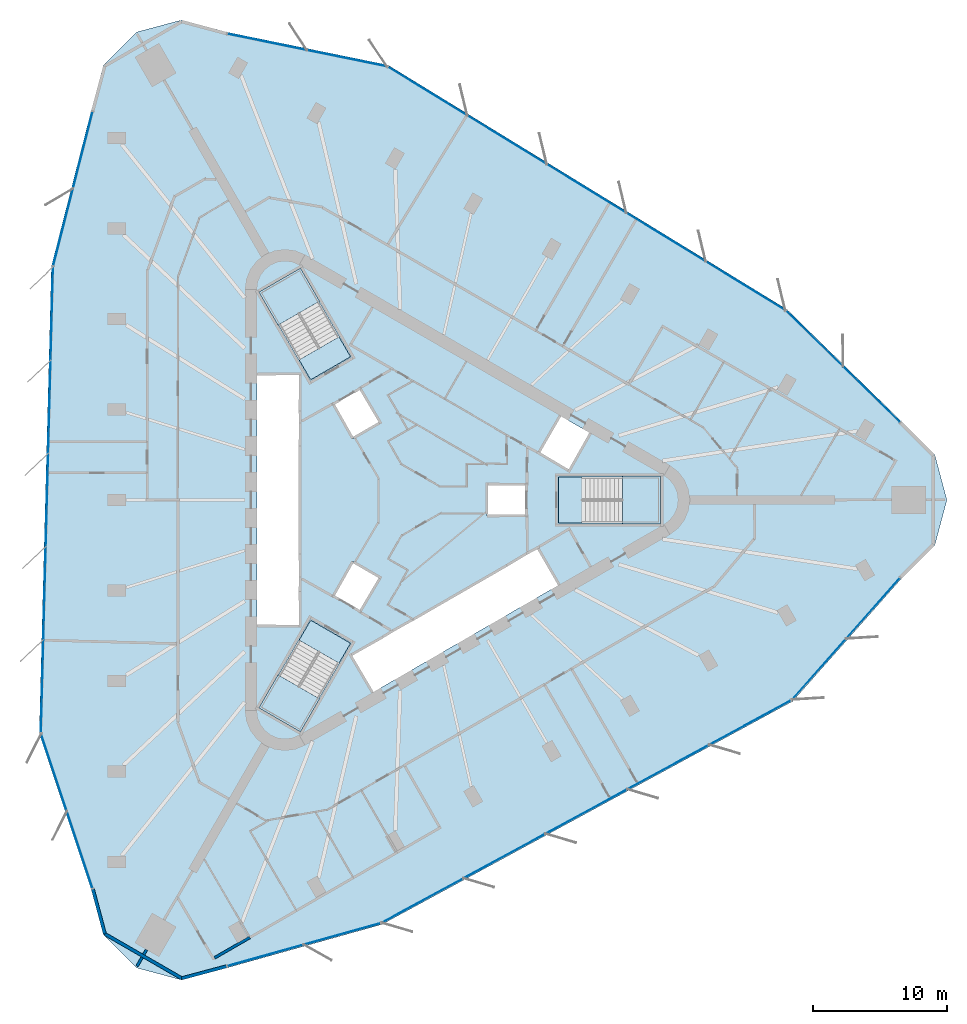
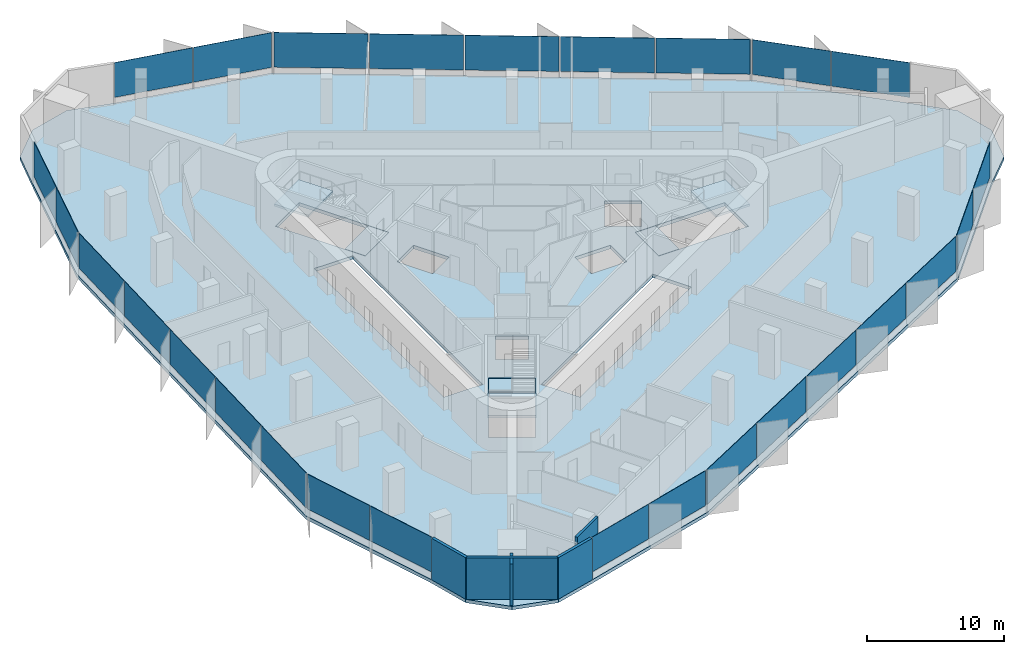
# One storey, part 7 of 14: 27 plates, 7 slabs, 6 walls, 12 elements without a shape of their own.
"""IFC4 building model written with IfcOpenShell, lengths in metres."""

from ifc_helpers import new_model, si_unit, direction, frame, frame_2d, origin, origin_2d, place, context, subcontext, project, spatial, polyline, rectangle, outline, extrude, material, layer, layer_set, type_object, element, aggregate, save


model = new_model("IFC4")

# Units and contexts
model_context = context("Model", 3, precision=1e-05, world=origin(), true_north=direction((0.0, 1.0)))
body_context = subcontext(model_context, "Body", "Model", "MODEL_VIEW")
ifc_project = project(units=[si_unit("LENGTHUNIT", "METRE"), si_unit("AREAUNIT", "SQUARE_METRE"), si_unit("VOLUMEUNIT", "CUBIC_METRE"), si_unit("PLANEANGLEUNIT", "RADIAN"), si_unit("MASSUNIT", "GRAM", prefix="KILO")], contexts=[model_context])

# Site, building, storey
site_placement = place(None, origin())
site = spatial("IfcSite", under=ifc_project, at=site_placement, CompositionType="ELEMENT")
building_placement = place(site_placement, origin())
building = spatial("IfcBuilding", under=site, at=building_placement, Name="Tanit Gate Tower", CompositionType="ELEMENT")
storey_placement = place(building_placement, frame((0.0, 0.0, 245.199951171875)))
storey = spatial("IfcBuildingStorey", under=building, at=storey_placement, Name="L55", CompositionType="ELEMENT", Elevation=245.199951171875)

# Slab
ifc_material_1 = material(Name="Concrete C35/45", Category="concrete")
ifc_layer_1 = layer(ifc_material_1, 0.300048828125)
ifc_layer_set_1 = layer_set([ifc_layer_1], Name="FLOOR SLAB 300 C35/45")
slab_type_1 = type_object("IfcSlabType", Name="FLOOR SLAB 300 C35/45", PredefinedType="FLOOR", material=ifc_layer_set_1)
slab_1_placement = place(storey_placement, frame((0.0, 0.0, -0.300048828125)))
element("IfcSlab", 1, at=slab_1_placement, inside=storey, type_object=slab_type_1, Name="FLOOR SLAB L55", PredefinedType="FLOOR", context=body_context, shape_type="SweptSolid", body=[
    extrude(outline(polyline([(37.03662109375, 5.860107421875), (39.51318359375, 3.38330078125), (40.419921875, 0.0), (39.51318359375, -3.38330078125), (37.03662109375, -5.860107421875), (28.885986328125, -15.05859375), (-1.855224609375, -31.760009765625), (-13.443115234375, -35.004638671875), (-16.826416015625, -35.9111328125), (-20.2099609375, -35.004638671875), (-22.686767578125, -32.52783203125), (-23.59326171875, -29.144287109375), (-27.484375, -17.48681640625), (-26.577392578125, 17.48681640625), (-23.59326171875, 29.144287109375), (-22.686767578125, 32.52783203125), (-20.2099609375, 35.004638671875), (-16.826416015625, 35.9111328125), (-13.443115234375, 35.004638671875), (-1.40185546875, 32.54541015625), (28.4326171875, 14.273193359375), (37.03662109375, 5.860107421875)]), holes=[polyline([(11.3701171875, 1.72998046875), (18.929931640625, 1.72998046875), (18.929931640625, -1.72998046875), (11.3701171875, -1.72998046875), (11.3701171875, 1.72998046875)]), polyline([(9.82080078125, 3.510009765625), (11.44580078125, 6.324462890625), (13.783935546875, 4.974609375), (12.158935546875, 2.159912109375), (9.82080078125, 3.510009765625)]), polyline([(-4.208984375, -11.60986328125), (9.82080078125, -3.510009765625), (11.44580078125, -6.324462890625), (-2.583984375, -14.424560546875), (-4.208984375, -11.60986328125)]), polyline([(6.0, 1.199951171875), (9.0, 1.199951171875), (9.0, -1.199951171875), (6.0, -1.199951171875), (6.0, 1.199951171875)]), polyline([(-5.539306640625, 7.194091796875), (-3.460693359375, 8.394287109375), (-1.960693359375, 5.796142578125), (-4.039306640625, 4.59619140625), (-5.539306640625, 7.194091796875)]), polyline([(-1.960693359375, -5.796142578125), (-3.460693359375, -8.394287109375), (-5.539306640625, -7.194091796875), (-4.039306640625, -4.59619140625), (-1.960693359375, -5.796142578125)]), polyline([(-10.963134765625, 15.52880859375), (-7.966796875, 17.2587890625), (-4.186767578125, 10.711669921875), (-7.18310546875, 8.981689453125), (-10.963134765625, 15.52880859375)]), polyline([(-4.186767578125, -10.711669921875), (-7.966796875, -17.2587890625), (-10.963134765625, -15.52880859375), (-7.18310546875, -8.981689453125), (-4.186767578125, -10.711669921875)]), polyline([(-11.199951171875, -9.449951171875), (-11.199951171875, 9.449951171875), (-7.949951171875, 9.449951171875), (-7.949951171875, -9.449951171875), (-11.199951171875, -9.449951171875)])]), origin(), (0.0, 0.0, 1.0), 0.300048828125),
])

# Curtain wall, plates
ifc_material_2 = material(Name="Aluminium bronze anodised and glass", Category="aluminium")
curtain_wall_type = type_object("IfcCurtainWallType", Name="Curtain wall typical mid", PredefinedType="NOTDEFINED", material=ifc_material_2)
curtain_wall_1_placement = place(storey_placement, origin())
curtain_wall_1 = element("IfcCurtainWall", 2, at=curtain_wall_1_placement, inside=storey, type_object=curtain_wall_type, Name="Curtain wall L55 NE1", PredefinedType="NOTDEFINED")
ifc_material_3 = material(Name="Glass tinted", Category="glass")
ifc_layer_2 = layer(ifc_material_3, 0.030029296875)
ifc_layer_set_2 = layer_set([ifc_layer_2], Name="Glass panel 30 typical mid")
plate_type = type_object("IfcPlateType", Name="Glass panel 30 typical mid", PredefinedType="CURTAIN_PANEL", material=ifc_layer_set_2)
plate_1_placement = place(storey_placement, frame((34.789306640625, 7.8896484375, 0.60009765625), z_axis=(0.0, 0.0, 1.0), x_axis=(-0.714989662126, 0.699135024907, 0.0)))
plate_1 = element("IfcPlate", 3, at=plate_1_placement, type_object=plate_type, Name="Glass panel L55 NE1.1", PredefinedType="CURTAIN_PANEL", context=body_context, shape_type="SweptSolid", body=[
    extrude(rectangle(XDim=5.8896484375, YDim=0.030029296875, at=origin_2d()), origin(), (0.0, 0.0, 1.0), 3.10009765625),
])
plate_2_placement = place(storey_placement, frame((30.52099609375, 12.063232421875, 0.60009765625), z_axis=(0.0, 0.0, 1.0), x_axis=(-0.714989662126, 0.699135024907, 0.0)))
plate_2 = element("IfcPlate", 4, at=plate_2_placement, type_object=plate_type, Name="Glass panel L55 NE1.2", PredefinedType="CURTAIN_PANEL", context=body_context, shape_type="SweptSolid", body=[
    extrude(rectangle(XDim=5.8896484375, YDim=0.030029296875, at=origin_2d()), origin(), (0.0, 0.0, 1.0), 3.10009765625),
])
aggregate(curtain_wall_1, [plate_1, plate_2])

curtain_wall_2_placement = place(storey_placement, origin())
curtain_wall_2 = element("IfcCurtainWall", 5, at=curtain_wall_2_placement, inside=storey, type_object=curtain_wall_type, Name="Curtain wall L55 NE2", PredefinedType="NOTDEFINED")
plate_3_placement = place(storey_placement, frame((25.3505859375, 16.020263671875, 0.60009765625), z_axis=(0.0, 0.0, 1.0), x_axis=(-0.852772356127, 0.522282786071, 0.0)))
plate_3 = element("IfcPlate", 6, at=plate_3_placement, type_object=plate_type, Name="Glass panel L55 NE2.1", PredefinedType="CURTAIN_PANEL", context=body_context, shape_type="SweptSolid", body=[
    extrude(rectangle(XDim=6.89404296875, YDim=0.030029296875, at=origin_2d()), origin(), (0.0, 0.0, 1.0), 3.10009765625),
])
plate_4_placement = place(storey_placement, frame((19.4033203125, 19.66259765625, 0.60009765625), z_axis=(0.0, 0.0, 1.0), x_axis=(-0.852772356127, 0.522282786071, 0.0)))
plate_4 = element("IfcPlate", 7, at=plate_4_placement, type_object=plate_type, Name="Glass panel L55 NE2.2", PredefinedType="CURTAIN_PANEL", context=body_context, shape_type="SweptSolid", body=[
    extrude(rectangle(XDim=6.89404296875, YDim=0.030029296875, at=origin_2d()), origin(), (0.0, 0.0, 1.0), 3.10009765625),
])
plate_5_placement = place(storey_placement, frame((13.455810546875, 23.304931640625, 0.60009765625), z_axis=(0.0, 0.0, 1.0), x_axis=(-0.852772356127, 0.522282786071, 0.0)))
plate_5 = element("IfcPlate", 8, at=plate_5_placement, type_object=plate_type, Name="Glass panel L55 NE2.3", PredefinedType="CURTAIN_PANEL", context=body_context, shape_type="SweptSolid", body=[
    extrude(rectangle(XDim=6.89404296875, YDim=0.030029296875, at=origin_2d()), origin(), (0.0, 0.0, 1.0), 3.10009765625),
])
plate_6_placement = place(storey_placement, frame((7.508544921875, 26.947509765625, 0.60009765625), z_axis=(0.0, 0.0, 1.0), x_axis=(-0.852772356127, 0.522282786071, 0.0)))
plate_6 = element("IfcPlate", 9, at=plate_6_placement, type_object=plate_type, Name="Glass panel L55 NE2.4", PredefinedType="CURTAIN_PANEL", context=body_context, shape_type="SweptSolid", body=[
    extrude(rectangle(XDim=6.89404296875, YDim=0.030029296875, at=origin_2d()), origin(), (0.0, 0.0, 1.0), 3.10009765625),
])
plate_7_placement = place(storey_placement, frame((1.561279296875, 30.58984375, 0.60009765625), z_axis=(0.0, 0.0, 1.0), x_axis=(-0.852772356127, 0.522282786071, 0.0)))
plate_7 = element("IfcPlate", 10, at=plate_7_placement, type_object=plate_type, Name="Glass panel L55 NE2.5", PredefinedType="CURTAIN_PANEL", context=body_context, shape_type="SweptSolid", body=[
    extrude(rectangle(XDim=6.89404296875, YDim=0.030029296875, at=origin_2d()), origin(), (0.0, 0.0, 1.0), 3.10009765625),
])
aggregate(curtain_wall_2, [plate_3, plate_4, plate_5, plate_6, plate_7])

curtain_wall_3_placement = place(storey_placement, origin())
curtain_wall_3 = element("IfcCurtainWall", 11, at=curtain_wall_3_placement, inside=storey, type_object=curtain_wall_type, Name="Curtain wall L55 NE3", PredefinedType="NOTDEFINED")
plate_8_placement = place(storey_placement, frame((-4.47216796875, 33.050048828125, 0.60009765625), z_axis=(0.0, 0.0, 1.0), x_axis=(-0.979775826836, 0.200098298711, 0.0)))
plate_8 = element("IfcPlate", 12, at=plate_8_placement, type_object=plate_type, Name="Glass panel L55 NE3.1", PredefinedType="CURTAIN_PANEL", context=body_context, shape_type="SweptSolid", body=[
    extrude(rectangle(XDim=6.01611328125, YDim=0.030029296875, at=origin_2d()), origin(), (0.0, 0.0, 1.0), 3.10009765625),
])
plate_9_placement = place(storey_placement, frame((-10.445068359375, 34.269775390625, 0.60009765625), z_axis=(0.0, 0.0, 1.0), x_axis=(-0.979775826836, 0.200098298711, 0.0)))
plate_9 = element("IfcPlate", 13, at=plate_9_placement, type_object=plate_type, Name="Glass panel L55 NE3.2", PredefinedType="CURTAIN_PANEL", context=body_context, shape_type="SweptSolid", body=[
    extrude(rectangle(XDim=6.016357421875, YDim=0.030029296875, at=origin_2d()), origin(), (0.0, 0.0, 1.0), 3.10009765625),
])
aggregate(curtain_wall_3, [plate_8, plate_9])

curtain_wall_4_placement = place(storey_placement, origin())
curtain_wall_4 = element("IfcCurtainWall", 14, at=curtain_wall_4_placement, inside=storey, type_object=curtain_wall_type, Name="Curtain wall L55 W1", PredefinedType="NOTDEFINED")
plate_10_placement = place(storey_placement, frame((-24.227294921875, 26.18359375, 0.60009765625), z_axis=(0.0, 0.0, 1.0), x_axis=(-0.247973861182, -0.968766723298, 0.0)))
plate_10 = element("IfcPlate", 15, at=plate_10_placement, type_object=plate_type, Name="Glass panel L55 W1.1", PredefinedType="CURTAIN_PANEL", context=body_context, shape_type="SweptSolid", body=[
    extrude(rectangle(XDim=5.8896484375, YDim=0.030029296875, at=origin_2d()), origin(), (0.0, 0.0, 1.0), 3.10009765625),
])
plate_11_placement = place(storey_placement, frame((-25.70751953125, 20.400390625, 0.60009765625), z_axis=(0.0, 0.0, 1.0), x_axis=(-0.247973861182, -0.968766723298, 0.0)))
plate_11 = element("IfcPlate", 16, at=plate_11_placement, type_object=plate_type, Name="Glass panel L55 W1.2", PredefinedType="CURTAIN_PANEL", context=body_context, shape_type="SweptSolid", body=[
    extrude(rectangle(XDim=5.8896484375, YDim=0.030029296875, at=origin_2d()), origin(), (0.0, 0.0, 1.0), 3.10009765625),
])
aggregate(curtain_wall_4, [plate_10, plate_11])

curtain_wall_5_placement = place(storey_placement, origin())
curtain_wall_5 = element("IfcCurtainWall", 17, at=curtain_wall_5_placement, inside=storey, type_object=curtain_wall_type, Name="Curtain wall L55 W2", PredefinedType="NOTDEFINED")
plate_12_placement = place(storey_placement, frame((-26.549072265625, 13.944091796875, 0.60009765625), z_axis=(0.0, 0.0, 1.0), x_axis=(-0.025923982634, -0.999663917086, 0.0)))
plate_12 = element("IfcPlate", 18, at=plate_12_placement, type_object=plate_type, Name="Glass panel L55 W2.1", PredefinedType="CURTAIN_PANEL", context=body_context, shape_type="SweptSolid", body=[
    extrude(rectangle(XDim=6.89404296875, YDim=0.030029296875, at=origin_2d()), origin(), (0.0, 0.0, 1.0), 3.10009765625),
])
plate_13_placement = place(storey_placement, frame((-26.72998046875, 6.972412109375, 0.60009765625), z_axis=(0.0, 0.0, 1.0), x_axis=(-0.025923982634, -0.999663917086, 0.0)))
plate_13 = element("IfcPlate", 19, at=plate_13_placement, type_object=plate_type, Name="Glass panel L55 W2.2", PredefinedType="CURTAIN_PANEL", context=body_context, shape_type="SweptSolid", body=[
    extrude(rectangle(XDim=6.89404296875, YDim=0.030029296875, at=origin_2d()), origin(), (0.0, 0.0, 1.0), 3.10009765625),
])
plate_14_placement = place(storey_placement, frame((-26.91064453125, 0.000732421875, 0.60009765625), z_axis=(0.0, 0.0, 1.0), x_axis=(-0.025923982634, -0.999663917086, 0.0)))
plate_14 = element("IfcPlate", 20, at=plate_14_placement, type_object=plate_type, Name="Glass panel L55 W2.3", PredefinedType="CURTAIN_PANEL", context=body_context, shape_type="SweptSolid", body=[
    extrude(rectangle(XDim=6.89404296875, YDim=0.030029296875, at=origin_2d()), origin(), (0.0, 0.0, 1.0), 3.10009765625),
])
plate_15_placement = place(storey_placement, frame((-27.091552734375, -6.97119140625, 0.60009765625), z_axis=(0.0, 0.0, 1.0), x_axis=(-0.025923982634, -0.999663917086, 0.0)))
plate_15 = element("IfcPlate", 21, at=plate_15_placement, type_object=plate_type, Name="Glass panel L55 W2.4", PredefinedType="CURTAIN_PANEL", context=body_context, shape_type="SweptSolid", body=[
    extrude(rectangle(XDim=6.89404296875, YDim=0.030029296875, at=origin_2d()), origin(), (0.0, 0.0, 1.0), 3.10009765625),
])
plate_16_placement = place(storey_placement, frame((-27.272216796875, -13.94287109375, 0.60009765625), z_axis=(0.0, 0.0, 1.0), x_axis=(-0.025923982634, -0.999663917086, 0.0)))
plate_16 = element("IfcPlate", 22, at=plate_16_placement, type_object=plate_type, Name="Glass panel L55 W2.5", PredefinedType="CURTAIN_PANEL", context=body_context, shape_type="SweptSolid", body=[
    extrude(rectangle(XDim=6.89404296875, YDim=0.030029296875, at=origin_2d()), origin(), (0.0, 0.0, 1.0), 3.10009765625),
])
aggregate(curtain_wall_5, [plate_12, plate_13, plate_14, plate_15, plate_16])

curtain_wall_6_placement = place(storey_placement, origin())
curtain_wall_6 = element("IfcCurtainWall", 23, at=curtain_wall_6_placement, inside=storey, type_object=curtain_wall_type, Name="Curtain wall L55 W3", PredefinedType="NOTDEFINED")
plate_17_placement = place(storey_placement, frame((-26.385986328125, -20.39794921875, 0.60009765625), z_axis=(0.0, 0.0, 1.0), x_axis=(0.31659770348, -0.94855990541, 0.0)))
plate_17 = element("IfcPlate", 24, at=plate_17_placement, type_object=plate_type, Name="Glass panel L55 W3.1", PredefinedType="CURTAIN_PANEL", context=body_context, shape_type="SweptSolid", body=[
    extrude(rectangle(XDim=6.01611328125, YDim=0.030029296875, at=origin_2d()), origin(), (0.0, 0.0, 1.0), 3.10009765625),
])
plate_18_placement = place(storey_placement, frame((-24.4560546875, -26.1806640625, 0.60009765625), z_axis=(0.0, 0.0, 1.0), x_axis=(0.31659770348, -0.94855990541, 0.0)))
plate_18 = element("IfcPlate", 25, at=plate_18_placement, type_object=plate_type, Name="Glass panel L55 W3.2", PredefinedType="CURTAIN_PANEL", context=body_context, shape_type="SweptSolid", body=[
    extrude(rectangle(XDim=6.016357421875, YDim=0.030029296875, at=origin_2d()), origin(), (0.0, 0.0, 1.0), 3.10009765625),
])
aggregate(curtain_wall_6, [plate_17, plate_18])

curtain_wall_7_placement = place(storey_placement, origin())
curtain_wall_7 = element("IfcCurtainWall", 26, at=curtain_wall_7_placement, inside=storey, type_object=curtain_wall_type, Name="Curtain wall L55 SE1", PredefinedType="NOTDEFINED")
plate_19_placement = place(storey_placement, frame((-10.56201171875, -34.0732421875, 0.60009765625), z_axis=(0.0, 0.0, 1.0), x_axis=(0.962963523309, 0.269631698391, 0.0)))
plate_19 = element("IfcPlate", 27, at=plate_19_placement, type_object=plate_type, Name="Glass panel L55 SE1.1", PredefinedType="CURTAIN_PANEL", context=body_context, shape_type="SweptSolid", body=[
    extrude(rectangle(XDim=5.8896484375, YDim=0.030029296875, at=origin_2d()), origin(), (0.0, 0.0, 1.0), 3.10009765625),
])
plate_20_placement = place(storey_placement, frame((-4.8134765625, -32.463623046875, 0.60009765625), z_axis=(0.0, 0.0, 1.0), x_axis=(0.962963523309, 0.269631698391, 0.0)))
plate_20 = element("IfcPlate", 28, at=plate_20_placement, type_object=plate_type, Name="Glass panel L55 SE1.2", PredefinedType="CURTAIN_PANEL", context=body_context, shape_type="SweptSolid", body=[
    extrude(rectangle(XDim=5.8896484375, YDim=0.030029296875, at=origin_2d()), origin(), (0.0, 0.0, 1.0), 3.10009765625),
])
aggregate(curtain_wall_7, [plate_19, plate_20])

curtain_wall_8_placement = place(storey_placement, origin())
curtain_wall_8 = element("IfcCurtainWall", 29, at=curtain_wall_8_placement, inside=storey, type_object=curtain_wall_type, Name="Curtain wall L55 SE2", PredefinedType="NOTDEFINED")
plate_21_placement = place(storey_placement, frame((1.198486328125, -29.96435546875, 0.60009765625), z_axis=(0.0, 0.0, 1.0), x_axis=(0.87869633876, 0.477381131015, 0.0)))
plate_21 = element("IfcPlate", 30, at=plate_21_placement, type_object=plate_type, Name="Glass panel L55 SE2.1", PredefinedType="CURTAIN_PANEL", context=body_context, shape_type="SweptSolid", body=[
    extrude(rectangle(XDim=6.89404296875, YDim=0.030029296875, at=origin_2d()), origin(), (0.0, 0.0, 1.0), 3.10009765625),
])
plate_22_placement = place(storey_placement, frame((7.32666015625, -26.635009765625, 0.60009765625), z_axis=(0.0, 0.0, 1.0), x_axis=(0.87869633876, 0.477381131015, 0.0)))
plate_22 = element("IfcPlate", 31, at=plate_22_placement, type_object=plate_type, Name="Glass panel L55 SE2.2", PredefinedType="CURTAIN_PANEL", context=body_context, shape_type="SweptSolid", body=[
    extrude(rectangle(XDim=6.89404296875, YDim=0.030029296875, at=origin_2d()), origin(), (0.0, 0.0, 1.0), 3.10009765625),
])
plate_23_placement = place(storey_placement, frame((13.454833984375, -23.3056640625, 0.60009765625), z_axis=(0.0, 0.0, 1.0), x_axis=(0.87869633876, 0.477381131015, 0.0)))
plate_23 = element("IfcPlate", 32, at=plate_23_placement, type_object=plate_type, Name="Glass panel L55 SE2.3", PredefinedType="CURTAIN_PANEL", context=body_context, shape_type="SweptSolid", body=[
    extrude(rectangle(XDim=6.89404296875, YDim=0.030029296875, at=origin_2d()), origin(), (0.0, 0.0, 1.0), 3.10009765625),
])
plate_24_placement = place(storey_placement, frame((19.5830078125, -19.976318359375, 0.60009765625), z_axis=(0.0, 0.0, 1.0), x_axis=(0.87869633876, 0.477381131015, 0.0)))
plate_24 = element("IfcPlate", 33, at=plate_24_placement, type_object=plate_type, Name="Glass panel L55 SE2.4", PredefinedType="CURTAIN_PANEL", context=body_context, shape_type="SweptSolid", body=[
    extrude(rectangle(XDim=6.89404296875, YDim=0.030029296875, at=origin_2d()), origin(), (0.0, 0.0, 1.0), 3.10009765625),
])
plate_25_placement = place(storey_placement, frame((25.7109375, -16.647216796875, 0.60009765625), z_axis=(0.0, 0.0, 1.0), x_axis=(0.87869633876, 0.477381131015, 0.0)))
plate_25 = element("IfcPlate", 34, at=plate_25_placement, type_object=plate_type, Name="Glass panel L55 SE2.5", PredefinedType="CURTAIN_PANEL", context=body_context, shape_type="SweptSolid", body=[
    extrude(rectangle(XDim=6.89404296875, YDim=0.030029296875, at=origin_2d()), origin(), (0.0, 0.0, 1.0), 3.10009765625),
])
aggregate(curtain_wall_8, [plate_21, plate_22, plate_23, plate_24, plate_25])

curtain_wall_9_placement = place(storey_placement, origin())
curtain_wall_9 = element("IfcCurtainWall", 35, at=curtain_wall_9_placement, inside=storey, type_object=curtain_wall_type, Name="Curtain wall L55 SE3", PredefinedType="NOTDEFINED")
plate_26_placement = place(storey_placement, frame((30.858154296875, -12.652099609375, 0.60009765625), z_axis=(0.0, 0.0, 1.0), x_axis=(0.663178123356, 0.748461606698, 0.0)))
plate_26 = element("IfcPlate", 36, at=plate_26_placement, type_object=plate_type, Name="Glass panel L55 SE3.1", PredefinedType="CURTAIN_PANEL", context=body_context, shape_type="SweptSolid", body=[
    extrude(rectangle(XDim=6.01611328125, YDim=0.030029296875, at=origin_2d()), origin(), (0.0, 0.0, 1.0), 3.10009765625),
])
plate_27_placement = place(storey_placement, frame((34.901123046875, -8.089111328125, 0.60009765625), z_axis=(0.0, 0.0, 1.0), x_axis=(0.663178123356, 0.748461606698, 0.0)))
plate_27 = element("IfcPlate", 37, at=plate_27_placement, type_object=plate_type, Name="Glass panel L55 SE3.2", PredefinedType="CURTAIN_PANEL", context=body_context, shape_type="SweptSolid", body=[
    extrude(rectangle(XDim=6.016357421875, YDim=0.030029296875, at=origin_2d()), origin(), (0.0, 0.0, 1.0), 3.10009765625),
])
aggregate(curtain_wall_9, [plate_26, plate_27])

# Stair, slab
ifc_material_4 = material(Name="Concrete C40/50", Category="concrete")
stair_type = type_object("IfcStairType", Name="INT-STAIR-EXIT", PredefinedType="HALF_TURN_STAIR", material=ifc_material_4)
stair_1_placement = place(storey_placement, origin())
stair_1 = element("IfcStair", 38, at=stair_1_placement, inside=storey, type_object=stair_type, Name="L55 STAIR S1", PredefinedType="HALF_TURN_STAIR")
ifc_material_5 = material(Name="Concrete C40/50", Category="concrete")
ifc_layer_3 = layer(ifc_material_5, 0.199951171875)
ifc_layer_set_3 = layer_set([ifc_layer_3], Name="INT-STAIR-LANDING")
slab_type_2 = type_object("IfcSlabType", Name="INT-STAIR-LANDING", PredefinedType="LANDING", material=ifc_layer_set_3)
slab_2_placement = place(storey_placement, frame((0.0, 0.0, 1.800048828125)))
slab_2 = element("IfcSlab", 39, at=slab_2_placement, type_object=slab_type_2, Name="S1 landing 1", PredefinedType="LANDING", context=body_context, shape_type="SweptSolid", body=[
    extrude(outline(polyline([(16.135986328125, -1.800048828125), (19.0, -1.800048828125), (19.0, 1.800048828125), (16.135986328125, 1.800048828125), (16.135986328125, -1.800048828125)])), origin(), (0.0, 0.0, 1.0), 0.199951171875),
])
aggregate(stair_1, [slab_2])

# Slab
slab_3_placement = place(storey_placement, frame((0.0, 0.0, -0.199951171875)))
element("IfcSlab", 40, at=slab_3_placement, inside=storey, type_object=slab_type_2, Name="S1 floor landing", PredefinedType="LANDING", context=body_context, shape_type="SweptSolid", body=[
    extrude(outline(polyline([(11.3798828125, -1.719970703125), (13.10498046875, -1.719970703125), (13.10498046875, 1.719970703125), (11.3798828125, 1.719970703125), (11.3798828125, -1.719970703125)])), origin(), (0.0, 0.0, 1.0), 0.199951171875),
])

# Stair, slab
stair_2_placement = place(storey_placement, origin())
stair_2 = element("IfcStair", 41, at=stair_2_placement, inside=storey, type_object=stair_type, Name="L55 STAIR S2", PredefinedType="HALF_TURN_STAIR")
slab_4_placement = place(storey_placement, frame((0.0, 0.0, 1.800048828125)))
slab_4 = element("IfcSlab", 42, at=slab_4_placement, type_object=slab_type_2, Name="S2 landing 1", PredefinedType="LANDING", context=body_context, shape_type="SweptSolid", body=[
    extrude(outline(polyline([(-6.5078125, 14.871826171875), (-7.941162109375, 17.3544921875), (-11.058837890625, 15.554443359375), (-9.62548828125, 13.07177734375), (-6.5078125, 14.871826171875)])), origin(), (0.0, 0.0, 1.0), 0.199951171875),
])
aggregate(stair_2, [slab_4])

# Slab
slab_5_placement = place(storey_placement, frame((0.0, 0.0, -0.199951171875)))
element("IfcSlab", 43, at=slab_5_placement, inside=storey, type_object=slab_type_2, Name="S2 floor landing", PredefinedType="LANDING", context=body_context, shape_type="SweptSolid", body=[
    extrude(outline(polyline([(-4.200439453125, 10.71533203125), (-5.0625, 12.20849609375), (-8.04150390625, 10.48828125), (-7.179443359375, 8.995361328125), (-4.200439453125, 10.71533203125)])), origin(), (0.0, 0.0, 1.0), 0.199951171875),
])

# Stair, slab
stair_3_placement = place(storey_placement, origin())
stair_3 = element("IfcStair", 44, at=stair_3_placement, inside=storey, type_object=stair_type, Name="L55 STAIR S3", PredefinedType="HALF_TURN_STAIR")
slab_6_placement = place(storey_placement, frame((0.0, 0.0, 1.800048828125)))
slab_6 = element("IfcSlab", 45, at=slab_6_placement, type_object=slab_type_2, Name="S3 landing 1", PredefinedType="LANDING", context=body_context, shape_type="SweptSolid", body=[
    extrude(outline(polyline([(-9.626953125, -13.07421875), (-11.058837890625, -15.554443359375), (-7.941162109375, -17.3544921875), (-6.509033203125, -14.874267578125), (-9.626953125, -13.07421875)])), origin(), (0.0, 0.0, 1.0), 0.199951171875),
])
aggregate(stair_3, [slab_6])

# Slab
slab_7_placement = place(storey_placement, frame((0.0, 0.0, -0.199951171875)))
element("IfcSlab", 46, at=slab_7_placement, inside=storey, type_object=slab_type_2, Name="S3 floor landing", PredefinedType="LANDING", context=body_context, shape_type="SweptSolid", body=[
    extrude(outline(polyline([(-7.179443359375, -8.995361328125), (-8.0419921875, -10.4892578125), (-5.06298828125, -12.209228515625), (-4.200439453125, -10.71533203125), (-7.179443359375, -8.995361328125)])), origin(), (0.0, 0.0, 1.0), 0.199951171875),
])

# Walls
ifc_material_6 = material(Name="Concrete C30/37 with bronze anodised aluminium cladding", Category="concrete")
ifc_layer_4 = layer(ifc_material_6, 0.239990234375)
ifc_layer_set_4 = layer_set([ifc_layer_4], Name="Facade wall bronze clad 240")
wall_type_1 = type_object("IfcWallType", Name="Facade wall bronze clad 240", PredefinedType="SOLIDWALL", material=ifc_layer_set_4)
wall_1_placement = place(storey_placement, frame((-23.478271484375, -29.10986328125, 0.0), z_axis=(0.0, 0.0, 1.0), x_axis=(0.258821559604, -0.965925152527, 0.0)))
element("IfcWall", 47, at=wall_1_placement, inside=storey, type_object=wall_type_1, Name="Bronze-clad facade wall L55 SW.arc1", PredefinedType="SOLIDWALL", context=body_context, shape_type="SweptSolid", body=[
    extrude(rectangle(XDim=3.47412109375, YDim=0.239990234375, at=frame_2d((1.737060546875, 0.0))), origin(), (0.0, 0.0, 1.0), 3.699951171875),
])
wall_2_placement = place(storey_placement, frame((-22.5791015625, -32.465576171875, 0.0), z_axis=(0.0, 0.0, 1.0), x_axis=(0.866017876419, -0.500013037552, 0.0)))
element("IfcWall", 48, at=wall_2_placement, inside=storey, type_object=wall_type_1, Name="Bronze-clad facade wall L55 SW.arc2", PredefinedType="SOLIDWALL", context=body_context, shape_type="SweptSolid", body=[
    extrude(rectangle(XDim=6.642333984375, YDim=0.239990234375, at=frame_2d((3.3212890625, 0.0))), origin(), (0.0, 0.0, 1.0), 3.699951171875),
])
wall_3_placement = place(storey_placement, frame((-16.82666015625, -35.786865234375, 0.0), z_axis=(0.0, 0.0, 1.0), x_axis=(0.96593768865, 0.258774770111, 0.0)))
element("IfcWall", 49, at=wall_3_placement, inside=storey, type_object=wall_type_1, Name="Bronze-clad facade wall L55 SW.arc3", PredefinedType="SOLIDWALL", context=body_context, shape_type="SweptSolid", body=[
    extrude(rectangle(XDim=3.469970703125, YDim=0.239990234375, at=frame_2d((1.73486328125, 0.0))), origin(), (0.0, 0.0, 1.0), 3.699951171875),
])
ifc_material_7 = material(Name="Fire-rated gypsum board partition")
ifc_layer_5 = layer(ifc_material_7, 0.199951171875)
ifc_layer_set_5 = layer_set([ifc_layer_5], Name="INT-WALL-COMPARTMENT")
wall_type_2 = type_object("IfcWallType", Name="INT-WALL-COMPARTMENT", PredefinedType="PARTITIONING", material=ifc_layer_set_5)
wall_4_placement = place(storey_placement, frame((-20.169677734375, -34.875, 0.0), z_axis=(0.0, 0.0, 1.0), x_axis=(0.499999897272, 0.866025463095, 0.0)))
element("IfcWall", 50, at=wall_4_placement, inside=storey, type_object=wall_type_2, Name="Wall Compartment W126", PredefinedType="PARTITIONING", context=body_context, shape_type="SweptSolid", body=[
    extrude(rectangle(XDim=0.76171875, YDim=0.199951171875, at=frame_2d((0.380859375, 0.0))), origin(), (0.0, 0.0, 1.0), 3.699951171875),
])
wall_5_placement = place(storey_placement, frame((-19.668701171875, -34.00732421875, 0.0), z_axis=(0.0, 0.0, 1.0), x_axis=(0.499739399214, 0.866175809448, 0.0)))
element("IfcWall", 51, at=wall_5_placement, inside=storey, type_object=wall_type_2, Name="Wall Compartment W126x1", PredefinedType="PARTITIONING", context=body_context, shape_type="SweptSolid", body=[
    extrude(rectangle(XDim=0.415771484375, YDim=0.199951171875, at=frame_2d((0.2080078125, 0.0))), origin(), (0.0, 0.0, 1.0), 3.699951171875),
])
wall_6_placement = place(storey_placement, frame((-11.729248046875, -32.7294921875, 0.0), z_axis=(0.0, 0.0, 1.0), x_axis=(-0.866009774538, -0.500027069672, 0.0)))
element("IfcWall", 52, at=wall_6_placement, inside=storey, type_object=wall_type_2, Name="Wall Compartment W151", PredefinedType="PARTITIONING", context=body_context, shape_type="SweptSolid", body=[
    extrude(rectangle(XDim=3.052490234375, YDim=0.199951171875, at=frame_2d((1.5263671875, 0.0))), origin(), (0.0, 0.0, 1.0), 3.699951171875),
])

save(model, "model.ifc")
